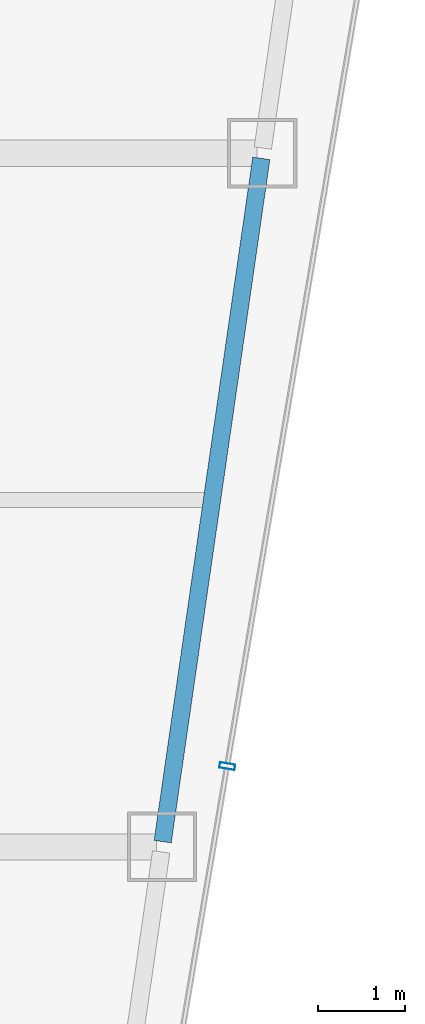
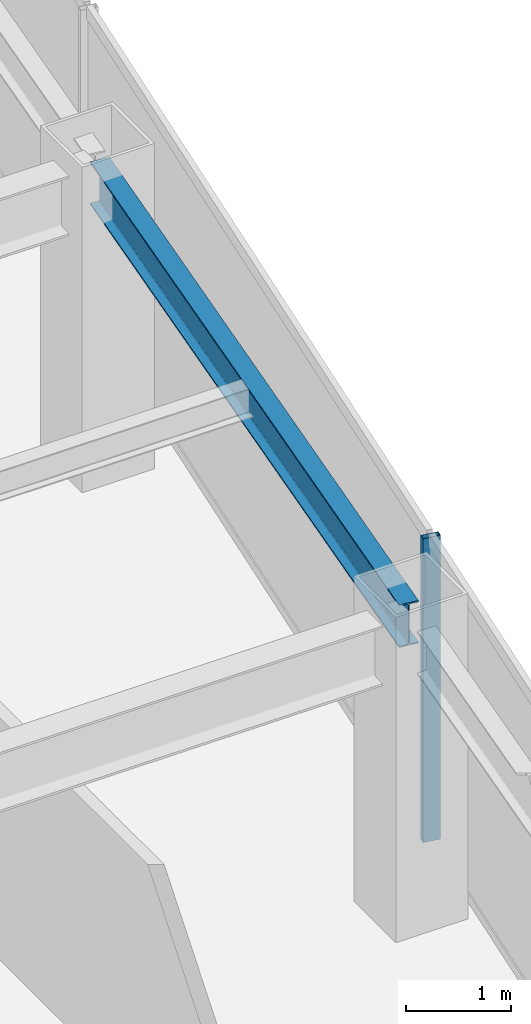
# One storey, part 20 of 36: 1 beam, 1 member, 1 element without a shape of its own.
"""IFC4 building model written with IfcOpenShell, lengths in metres."""

from ifc_helpers import new_model, si_unit, direction, frame, origin, origin_2d, place, context, subcontext, project, spatial, hollow_rectangle, i_section, extrude, material, material_profile, profile_set, type_object, element, aggregate, save


model = new_model("IFC4")

# Units and contexts
model_context = context("Model", 3, precision=1e-05, world=origin(), true_north=direction((0.0, 1.0)))
body_context = subcontext(model_context, "Body", "Model", "MODEL_VIEW")
ifc_project = project(units=[si_unit("LENGTHUNIT", "METRE"), si_unit("AREAUNIT", "SQUARE_METRE"), si_unit("VOLUMEUNIT", "CUBIC_METRE"), si_unit("PLANEANGLEUNIT", "RADIAN"), si_unit("MASSUNIT", "GRAM", prefix="KILO")], contexts=[model_context])

# Site, building, storey
site_placement = place(None, origin())
site = spatial("IfcSite", under=ifc_project, at=site_placement, CompositionType="ELEMENT")
building_placement = place(site_placement, origin())
building = spatial("IfcBuilding", under=site, at=building_placement, Name="Saevonmaru Cultural Tower", CompositionType="ELEMENT")
storey_placement = place(building_placement, frame((0.0, 0.0, 186.60009765625)))
storey = spatial("IfcBuildingStorey", under=building, at=storey_placement, Name="L42", CompositionType="ELEMENT", Elevation=186.60009765625)

# Beam
ifc_material_1 = material(Name="Steel SM355", Category="steel")
ifc_material_profile_1 = material_profile(ifc_material_1, i_section(OverallWidth=0.199951171875, OverallDepth=0.5, WebThickness=0.010009765625, FlangeThickness=0.01611328125, FilletRadius=0.02001953125, at=origin_2d()), Name="H-500x200x10x16")
ifc_profile_set_1 = profile_set([ifc_material_profile_1], Name="Steel SM355")
beam_type = type_object("IfcBeamType", Name="BM-SP-H500", PredefinedType="SPANDREL", material=ifc_profile_set_1)
beam_placement = place(storey_placement, frame((50.53662109375, 24.059326171875, 3.2998046875), z_axis=(0.142871999001, 0.989741174197, 0.0), x_axis=(-0.989741174197, 0.142871999001, 0.0)))
element("IfcBeam", 1, at=beam_placement, inside=storey, type_object=beam_type, Name="L42 East Splayed Spandrel 2", PredefinedType="SPANDREL", context=body_context, shape_type="SweptSolid", body=[
    extrude(i_section(OverallWidth=0.199951171875, OverallDepth=0.5, WebThickness=0.010009765625, FlangeThickness=0.01611328125, FilletRadius=0.02001953125, at=origin_2d()), origin(), (0.0, 0.0, 1.0), 7.963134765625),
])

# Curtain wall, member
ifc_material_2 = material(Name="Satin Bronze Anodised Aluminium", Category="aluminium")
curtain_wall_type = type_object("IfcCurtainWallType", Name="CW-TYP-B", PredefinedType="NOTDEFINED", material=ifc_material_2)
curtain_wall_placement = place(storey_placement, origin())
curtain_wall = element("IfcCurtainWall", 2, at=curtain_wall_placement, inside=storey, type_object=curtain_wall_type, Name="L42 Unitised Curtain Wall E8", PredefinedType="NOTDEFINED")
ifc_material_profile_2 = material_profile(ifc_material_2, hollow_rectangle(XDim=0.06494140625, YDim=0.179931640625, WallThickness=0.00390625, at=origin_2d()), Name="ALU-MULL-180x65x4")
ifc_profile_set_2 = profile_set([ifc_material_profile_2], Name="Satin Bronze Anodised Aluminium")
member_type = type_object("IfcMemberType", Name="ML-CW-180x65", PredefinedType="MULLION", material=ifc_profile_set_2)
member_placement = place(storey_placement, frame((51.28173828125, 24.9296875, 0.0), z_axis=(0.0, 0.0, 1.0), x_axis=(0.16692169721, 0.985970155228, 0.0)))
member = element("IfcMember", 3, at=member_placement, type_object=member_type, Name="CW-TW-L42-E8 mullion 2", PredefinedType="MULLION", context=body_context, shape_type="SweptSolid", body=[
    extrude(hollow_rectangle(XDim=0.06494140625, YDim=0.179931640625, WallThickness=0.00390625, at=origin_2d()), origin(), (0.0, 0.0, 1.0), 3.5498046875),
])
aggregate(curtain_wall, [member])

save(model, "model.ifc")
